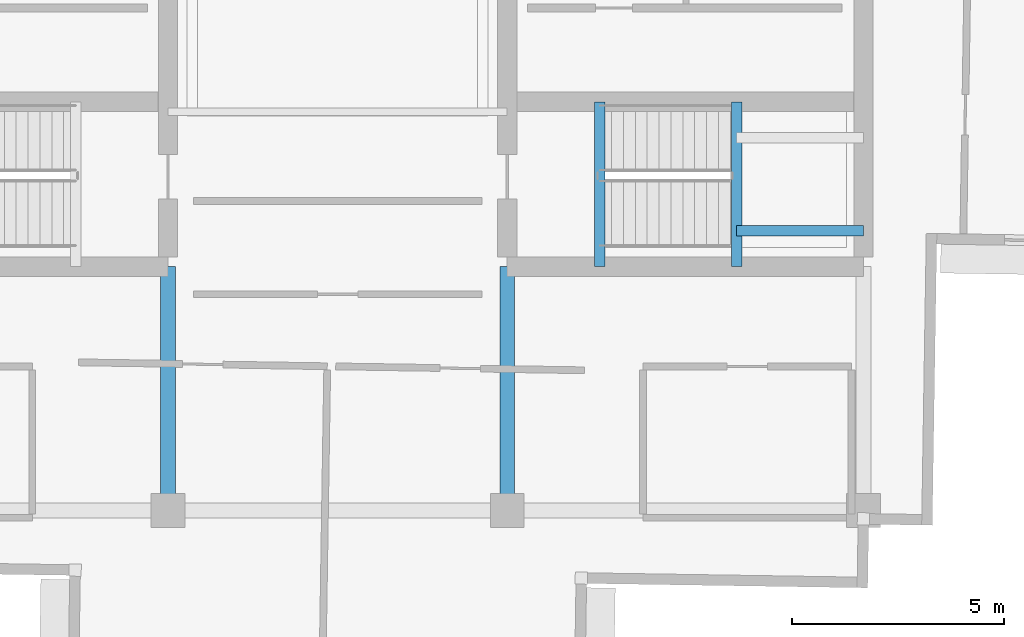
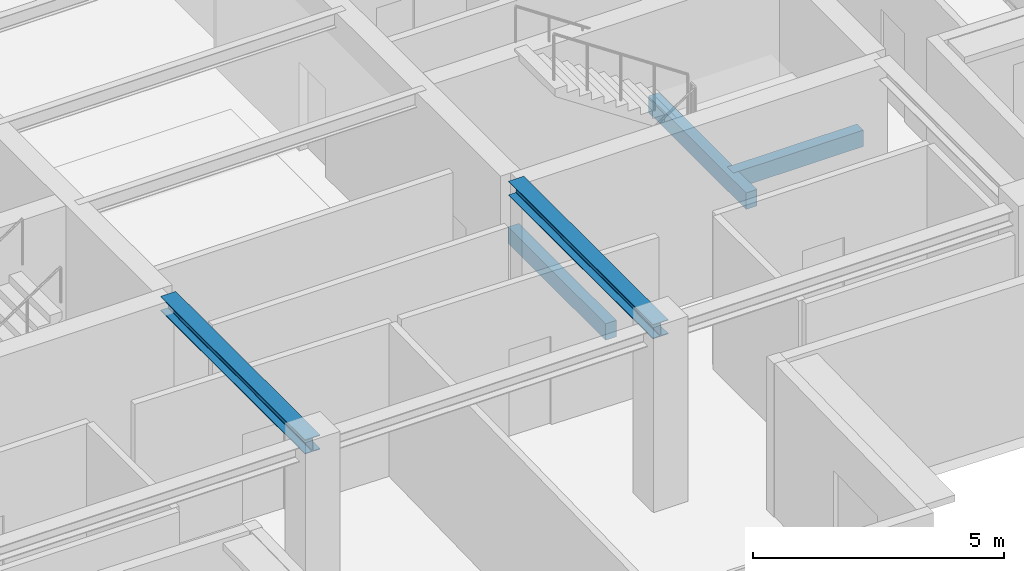
# One storey, part 3 of 15: 5 beams.
"""IFC4 building model written with IfcOpenShell, lengths in metres."""

import ifcopenshell
import ifcopenshell.guid

model = None  # the IFC model being written
_history = None  # IfcOwnerHistory: only IFC2X3 demands one
_inside = {}  # id of a spatial element -> (the spatial element, [elements in it])
_under = {}  # id of a project, library or spatial element -> (it, [spatial elements below it])
_declared = {}  # id of a project -> (the project, [libraries it declares])
_typed = {}  # id of a type object -> (the type object, [elements of that type])
_made_of = {}  # id of a material, layer set ... -> (it, [elements and type objects made of it])


def new_model(schema):
    """Start an empty IFC model of exactly this schema.

    Asked for "IFC4X3", IfcOpenShell would pick the latest addendum, in which some entities
    have other attributes; the version numbers below select the first issue.
    IFC2X3 requires an IfcOwnerHistory on every rooted entity: one is made here for all.
    """
    global model, _history
    if schema == "IFC4X3":
        model = ifcopenshell.file(schema_version=(4, 3, 0, 0))
    else:
        model = ifcopenshell.file(schema=schema)
    _inside.clear()
    _under.clear()
    _declared.clear()
    _typed.clear()
    _made_of.clear()
    _history = None
    if model.schema == "IFC2X3":
        org = make("IfcOrganization", Name="unknown")
        user = make(
            "IfcPersonAndOrganization",
            ThePerson=make("IfcPerson", FamilyName="unknown"),
            TheOrganization=org,
        )
        app = make(
            "IfcApplication",
            ApplicationDeveloper=org,
            Version="unknown",
            ApplicationFullName="unknown",
            ApplicationIdentifier="unknown",
        )
        _history = make(
            "IfcOwnerHistory",
            OwningUser=user,
            OwningApplication=app,
            ChangeAction="ADDED",
            CreationDate=0,
        )
    return model


def make(cls, **values):
    """One entity of the class cls with the attributes given. An attribute that is None is left unset."""
    return model.create_entity(
        cls, **{name: value for name, value in values.items() if value is not None}
    )


def rooted(cls, **values):
    """An entity with a GlobalId (a new one), such as an element, a storey or a relation."""
    return make(cls, GlobalId=ifcopenshell.guid.new(), OwnerHistory=_history, **values)


def si_unit(unit_type, name, prefix=None):
    """IfcSIUnit, for example si_unit("LENGTHUNIT", "METRE", prefix="MILLI")."""
    return make("IfcSIUnit", UnitType=unit_type, Prefix=prefix, Name=name)


def assignment(units):
    """IfcUnitAssignment: the units of a project."""
    return None if units is None else make("IfcUnitAssignment", Units=units)


def point(xyz):
    """IfcCartesianPoint."""
    return None if xyz is None else make("IfcCartesianPoint", Coordinates=xyz)


def direction(xyz):
    """IfcDirection."""
    return None if xyz is None else make("IfcDirection", DirectionRatios=xyz)


def frame(location, z_axis=None, x_axis=None):
    """IfcAxis2Placement3D, a coordinate frame: its origin and axes. An axis left out is left unset."""
    return make(
        "IfcAxis2Placement3D",
        Location=point(location),
        Axis=direction(z_axis),
        RefDirection=direction(x_axis),
    )


def frame_2d(location, x_axis=None):
    """IfcAxis2Placement2D, a coordinate frame in the plane: its origin and x axis."""
    return make(
        "IfcAxis2Placement2D", Location=point(location), RefDirection=direction(x_axis)
    )


def origin():
    """The frame at (0, 0, 0) with its axes left unset."""
    return frame((0.0, 0.0, 0.0))


def origin_2d():
    """The frame at (0, 0) in the plane with its x axis left unset."""
    return frame_2d((0.0, 0.0))


def place(relative_to, where):
    """IfcLocalPlacement: puts the frame where relative to a parent placement (None: the world)."""
    return make(
        "IfcLocalPlacement", PlacementRelTo=relative_to, RelativePlacement=where
    )


def context(
    kind, dimensions, precision=None, world=None, true_north=None, identifier=None
):
    """IfcGeometricRepresentationContext, for example the 3D "Model" context."""
    return make(
        "IfcGeometricRepresentationContext",
        ContextIdentifier=identifier,
        ContextType=kind,
        CoordinateSpaceDimension=dimensions,
        Precision=precision,
        WorldCoordinateSystem=world,
        TrueNorth=true_north,
    )


def subcontext(parent, identifier, kind, view, scale=None):
    """IfcGeometricRepresentationSubContext, for example "Body" below "Model"."""
    return make(
        "IfcGeometricRepresentationSubContext",
        ContextIdentifier=identifier,
        ContextType=kind,
        ParentContext=parent,
        TargetScale=scale,
        TargetView=view,
    )


def project(units=None, contexts=None):
    """IfcProject with its units and contexts."""
    return rooted(
        "IfcProject",
        Name="project",
        RepresentationContexts=contexts,
        UnitsInContext=assignment(units),
    )


def spatial(cls, under=None, at=None, **own):
    """A site, building, storey or space (cls), placed at a placement, below another one or the project."""
    s = rooted(cls, ObjectPlacement=at, **own)
    if under is not None:
        _under.setdefault(under.id(), (under, []))[1].append(s)
    return s


def profile(cls, at=None, kind="AREA", **sizes):
    """A parametric profile (cls). Its sizes go by their IFC names, for example OverallWidth=200.0."""
    return make(cls, ProfileType=kind, Position=at, **sizes)


def rectangle(**sizes):
    """IfcRectangleProfileDef."""
    return profile("IfcRectangleProfileDef", **sizes)


def i_section(**sizes):
    """IfcIShapeProfileDef."""
    return profile("IfcIShapeProfileDef", **sizes)


def extrude(swept, where, along, depth):
    """IfcExtrudedAreaSolid: the profile swept, set in the frame where, extruded along a direction by depth."""
    return make(
        "IfcExtrudedAreaSolid",
        SweptArea=swept,
        Position=where,
        ExtrudedDirection=direction(along),
        Depth=depth,
    )


def shape(context_of_items, identifier, shape_type, items):
    """IfcShapeRepresentation: the items that make up one representation, for example the "Body"."""
    return make(
        "IfcShapeRepresentation",
        ContextOfItems=context_of_items,
        RepresentationIdentifier=identifier,
        RepresentationType=shape_type,
        Items=items,
    )


def material(Name=None, Category=None):
    """IfcMaterial."""
    return make("IfcMaterial", Name=Name, Category=Category)


def material_profile(
    of_material, cross_section, Name=None, Category=None, Priority=None
):
    """IfcMaterialProfile: a cross section and its material."""
    return make(
        "IfcMaterialProfile",
        Name=Name,
        Material=of_material,
        Profile=cross_section,
        Priority=Priority,
        Category=Category,
    )


def profile_set(profiles, Name=None, composite=None):
    """IfcMaterialProfileSet."""
    return make(
        "IfcMaterialProfileSet",
        Name=Name,
        MaterialProfiles=profiles,
        CompositeProfile=composite,
    )


def made_of(thing, what):
    """Note that an element or type object is made of a material, layer set ...; save() writes the relation."""
    if what is not None:
        _made_of.setdefault(what.id(), (what, []))[1].append(thing)
    return thing


def type_object(cls, material=None, **own):
    """A type object (cls), such as IfcWallType, which elements share."""
    return made_of(rooted(cls, **own), material)


def element(
    cls,
    number,
    at=None,
    inside=None,
    cuts=None,
    type_object=None,
    material=None,
    context=None,
    identifier="Body",
    shape_type=None,
    held_by="IfcProductDefinitionShape",
    body=None,
    shapes=None,
    **own,
):
    """One element of the class cls, such as IfcWall. Its Tag is "e" and its number.

    at: its placement. inside: the storey or other place that contains it. cuts: it is an
    opening in that element (IfcRelVoidsElement). A single representation is given by context,
    identifier, shape_type and body (its items); several are given by shapes. held_by: the class
    of the entity that holds the representations. save() writes the other relations.
    """
    e = rooted(cls, Tag="e%d" % number, ObjectPlacement=at, **own)
    if body is not None:
        shapes = [shape(context, identifier, shape_type, body)]
    if shapes is not None:
        e.Representation = make(held_by, Representations=shapes)
    if inside is not None:
        _inside.setdefault(inside.id(), (inside, []))[1].append(e)
    if cuts is not None:
        rooted(
            "IfcRelVoidsElement", RelatingBuildingElement=cuts, RelatedOpeningElement=e
        )
    if type_object is not None:
        _typed.setdefault(type_object.id(), (type_object, []))[1].append(e)
    return made_of(e, material)


def aggregate(whole, parts):
    """IfcRelAggregates: a whole, such as a stair, and the parts it consists of."""
    return rooted("IfcRelAggregates", RelatingObject=whole, RelatedObjects=parts)


def save(model, path):
    """Write the relations noted so far, then the file.

    IfcRelAggregates (storeys below a building ...), IfcRelContainedInSpatialStructure (elements
    in a storey), IfcRelDefinesByType, IfcRelAssociatesMaterial and IfcRelDeclares: one each for
    every whole, place, type object, material and project.
    """
    for whole, parts in _under.values():
        aggregate(whole, parts)
    for where, things in _inside.values():
        rooted(
            "IfcRelContainedInSpatialStructure",
            RelatedElements=things,
            RelatingStructure=where,
        )
    for kind, things in _typed.values():
        rooted("IfcRelDefinesByType", RelatedObjects=things, RelatingType=kind)
    for what, things in _made_of.values():
        rooted("IfcRelAssociatesMaterial", RelatedObjects=things, RelatingMaterial=what)
    for by, libraries in _declared.values():
        rooted("IfcRelDeclares", RelatingContext=by, RelatedDefinitions=libraries)
    model.write(path)


model = new_model("IFC4")

# Units and contexts
model_context = context("Model", 3, precision=1e-05, world=origin(), true_north=direction((0.0, 1.0)))
body_context = subcontext(model_context, "Body", "Model", "MODEL_VIEW")
ifc_project = project(units=[si_unit("LENGTHUNIT", "METRE"), si_unit("AREAUNIT", "SQUARE_METRE"), si_unit("VOLUMEUNIT", "CUBIC_METRE"), si_unit("PLANEANGLEUNIT", "RADIAN"), si_unit("MASSUNIT", "GRAM", prefix="KILO")], contexts=[model_context])

# Site, building, storey
site_placement = place(None, origin())
site = spatial("IfcSite", under=ifc_project, at=site_placement, CompositionType="ELEMENT")
building_placement = place(site_placement, origin())
building = spatial("IfcBuilding", under=site, at=building_placement, Name="Qingluan Cross Belvedere", CompositionType="ELEMENT")
storey_placement = place(building_placement, frame((0.0, 0.0, 312.89990234375)))
storey = spatial("IfcBuildingStorey", under=building, at=storey_placement, Name="L77", CompositionType="ELEMENT", Elevation=312.89990234375)

# Beams
ifc_material_1 = material(Name="Concrete C45", Category="concrete")
ifc_material_profile_1 = material_profile(ifc_material_1, rectangle(XDim=0.25, YDim=0.39990234375, at=origin_2d()), Name="RC250x400")
ifc_profile_set_1 = profile_set([ifc_material_profile_1], Name="Concrete C45")
beam_type_1 = type_object("IfcBeamType", Name="RC_Lintel_RC250x400", PredefinedType="LINTEL", material=ifc_profile_set_1)
for number, where, z_axis, x_axis, name in (
    (1, (6.179931640625, -6.85009765625, -0.199951171875), (0.0, 1.0, 0.0), (-1.0, 0.0, 0.0), "Stair ST2 landing beam L77"),
    (2, (9.409912109375, -6.85009765625, 1.85009765625), (0.0, 1.0, 0.0), (-1.0, 0.0, 0.0), "Stair ST2 beam A L77"),
):
    element("IfcBeam", number, at=place(storey_placement, frame(where, z_axis=z_axis, x_axis=x_axis)), inside=storey, type_object=beam_type_1, Name=name, PredefinedType="LINTEL", context=body_context, shape_type="SweptSolid", body=[
        extrude(rectangle(XDim=0.25, YDim=0.39990234375, at=origin_2d()), origin(), (0.0, 0.0, 1.0), 3.89013671875),
    ])
beam_placement = place(storey_placement, frame((12.39990234375, -6.0, 1.85009765625), z_axis=(-1.0, 0.0, 0.0), x_axis=(0.0, -1.0, 0.0)))
element("IfcBeam", 3, at=beam_placement, inside=storey, type_object=beam_type_1, Name="Stair ST2 beam B L77", PredefinedType="LINTEL", context=body_context, shape_type="SweptSolid", body=[
    extrude(rectangle(XDim=0.25, YDim=0.39990234375, at=origin_2d()), origin(), (0.0, 0.0, 1.0), 2.989990234375),
])
ifc_material_2 = material(Name="Steel Q420GJB", Category="steel")
ifc_material_profile_2 = material_profile(ifc_material_2, i_section(OverallWidth=0.35009765625, OverallDepth=0.35009765625, WebThickness=0.011962890625, FlangeThickness=0.01904296875, FilletRadius=0.02001953125, at=origin_2d()), Name="HW350x350x12x19")
ifc_profile_set_2 = profile_set([ifc_material_profile_2], Name="Steel Q420GJB")
beam_type_2 = type_object("IfcBeamType", Name="Steel_Girder_HW350x350x12x19", PredefinedType="USERDEFINED", material=ifc_profile_set_2)
for number, where, z_axis, x_axis, name in (
    (4, (-4.0, -12.60009765625, 4.0751953125), (0.0, 1.0, 0.0), (-1.0, 0.0, 0.0), "Hub girder L77-HG-CW"),
    (5, (4.0, -12.60009765625, 4.0751953125), (0.0, 1.0, 0.0), (-1.0, 0.0, 0.0), "Hub girder L77-HG-CE"),
):
    element("IfcBeam", number, at=place(storey_placement, frame(where, z_axis=z_axis, x_axis=x_axis)), inside=storey, type_object=beam_type_2, Name=name, ObjectType="GIRDER", PredefinedType="USERDEFINED", context=body_context, shape_type="SweptSolid", body=[
        extrude(i_section(OverallWidth=0.35009765625, OverallDepth=0.35009765625, WebThickness=0.011962890625, FlangeThickness=0.01904296875, FilletRadius=0.02001953125, at=origin_2d()), origin(), (0.0, 0.0, 1.0), 5.75),
    ])

save(model, "model.ifc")
